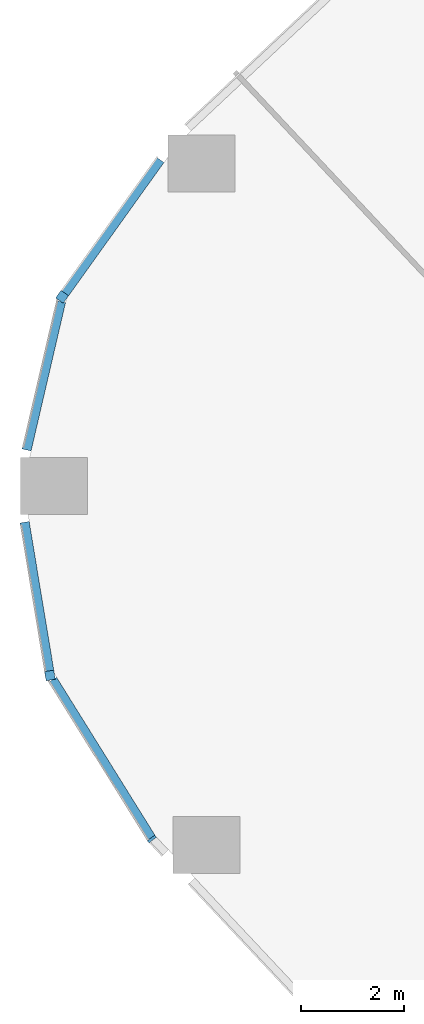
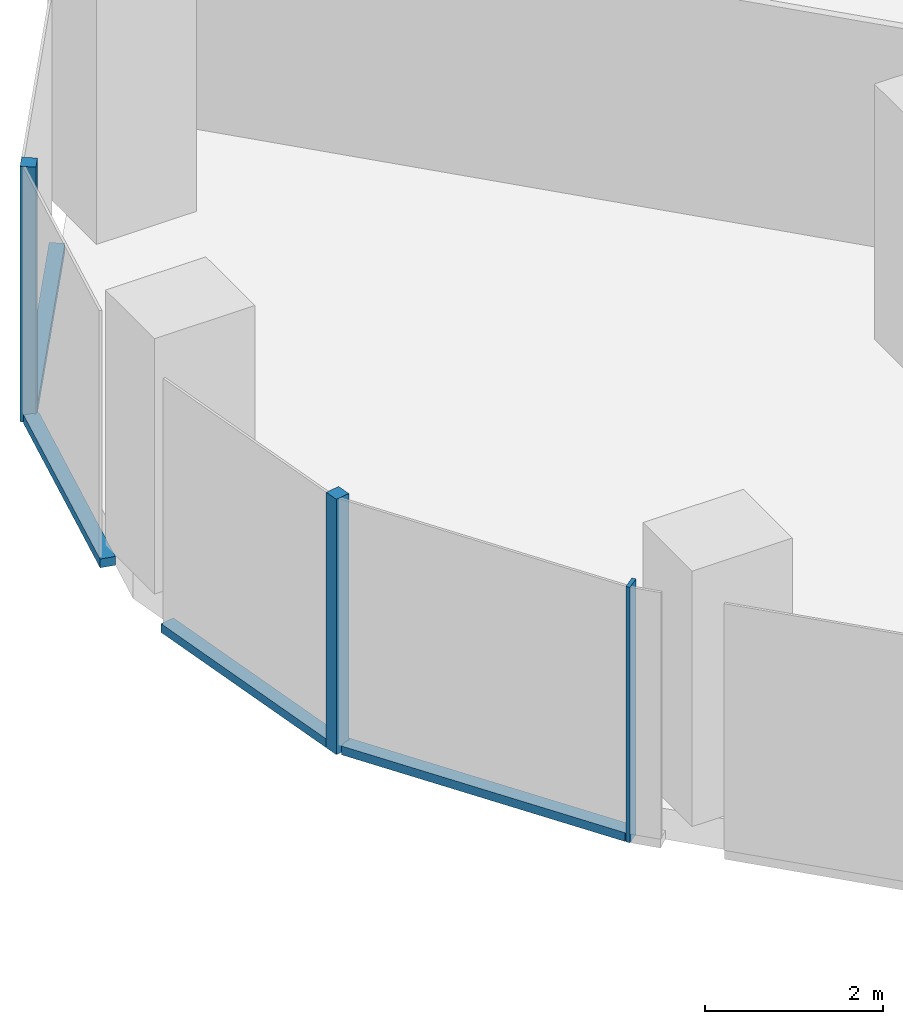
# One storey, part 3 of 34: 7 members, 4 elements without a shape of their own.
"""IFC4 building model written with IfcOpenShell, lengths in metres."""

import ifcopenshell
import ifcopenshell.guid

model = None  # the IFC model being written
_history = None  # IfcOwnerHistory: only IFC2X3 demands one
_inside = {}  # id of a spatial element -> (the spatial element, [elements in it])
_under = {}  # id of a project, library or spatial element -> (it, [spatial elements below it])
_declared = {}  # id of a project -> (the project, [libraries it declares])
_typed = {}  # id of a type object -> (the type object, [elements of that type])
_made_of = {}  # id of a material, layer set ... -> (it, [elements and type objects made of it])


def new_model(schema):
    """Start an empty IFC model of exactly this schema.

    Asked for "IFC4X3", IfcOpenShell would pick the latest addendum, in which some entities
    have other attributes; the version numbers below select the first issue.
    IFC2X3 requires an IfcOwnerHistory on every rooted entity: one is made here for all.
    """
    global model, _history
    if schema == "IFC4X3":
        model = ifcopenshell.file(schema_version=(4, 3, 0, 0))
    else:
        model = ifcopenshell.file(schema=schema)
    _inside.clear()
    _under.clear()
    _declared.clear()
    _typed.clear()
    _made_of.clear()
    _history = None
    if model.schema == "IFC2X3":
        org = make("IfcOrganization", Name="unknown")
        user = make(
            "IfcPersonAndOrganization",
            ThePerson=make("IfcPerson", FamilyName="unknown"),
            TheOrganization=org,
        )
        app = make(
            "IfcApplication",
            ApplicationDeveloper=org,
            Version="unknown",
            ApplicationFullName="unknown",
            ApplicationIdentifier="unknown",
        )
        _history = make(
            "IfcOwnerHistory",
            OwningUser=user,
            OwningApplication=app,
            ChangeAction="ADDED",
            CreationDate=0,
        )
    return model


def make(cls, **values):
    """One entity of the class cls with the attributes given. An attribute that is None is left unset."""
    return model.create_entity(
        cls, **{name: value for name, value in values.items() if value is not None}
    )


def rooted(cls, **values):
    """An entity with a GlobalId (a new one), such as an element, a storey or a relation."""
    return make(cls, GlobalId=ifcopenshell.guid.new(), OwnerHistory=_history, **values)


def si_unit(unit_type, name, prefix=None):
    """IfcSIUnit, for example si_unit("LENGTHUNIT", "METRE", prefix="MILLI")."""
    return make("IfcSIUnit", UnitType=unit_type, Prefix=prefix, Name=name)


def assignment(units):
    """IfcUnitAssignment: the units of a project."""
    return None if units is None else make("IfcUnitAssignment", Units=units)


def point(xyz):
    """IfcCartesianPoint."""
    return None if xyz is None else make("IfcCartesianPoint", Coordinates=xyz)


def direction(xyz):
    """IfcDirection."""
    return None if xyz is None else make("IfcDirection", DirectionRatios=xyz)


def frame(location, z_axis=None, x_axis=None):
    """IfcAxis2Placement3D, a coordinate frame: its origin and axes. An axis left out is left unset."""
    return make(
        "IfcAxis2Placement3D",
        Location=point(location),
        Axis=direction(z_axis),
        RefDirection=direction(x_axis),
    )


def frame_2d(location, x_axis=None):
    """IfcAxis2Placement2D, a coordinate frame in the plane: its origin and x axis."""
    return make(
        "IfcAxis2Placement2D", Location=point(location), RefDirection=direction(x_axis)
    )


def origin():
    """The frame at (0, 0, 0) with its axes left unset."""
    return frame((0.0, 0.0, 0.0))


def origin_2d():
    """The frame at (0, 0) in the plane with its x axis left unset."""
    return frame_2d((0.0, 0.0))


def place(relative_to, where):
    """IfcLocalPlacement: puts the frame where relative to a parent placement (None: the world)."""
    return make(
        "IfcLocalPlacement", PlacementRelTo=relative_to, RelativePlacement=where
    )


def context(
    kind, dimensions, precision=None, world=None, true_north=None, identifier=None
):
    """IfcGeometricRepresentationContext, for example the 3D "Model" context."""
    return make(
        "IfcGeometricRepresentationContext",
        ContextIdentifier=identifier,
        ContextType=kind,
        CoordinateSpaceDimension=dimensions,
        Precision=precision,
        WorldCoordinateSystem=world,
        TrueNorth=true_north,
    )


def subcontext(parent, identifier, kind, view, scale=None):
    """IfcGeometricRepresentationSubContext, for example "Body" below "Model"."""
    return make(
        "IfcGeometricRepresentationSubContext",
        ContextIdentifier=identifier,
        ContextType=kind,
        ParentContext=parent,
        TargetScale=scale,
        TargetView=view,
    )


def project(units=None, contexts=None):
    """IfcProject with its units and contexts."""
    return rooted(
        "IfcProject",
        Name="project",
        RepresentationContexts=contexts,
        UnitsInContext=assignment(units),
    )


def spatial(cls, under=None, at=None, **own):
    """A site, building, storey or space (cls), placed at a placement, below another one or the project."""
    s = rooted(cls, ObjectPlacement=at, **own)
    if under is not None:
        _under.setdefault(under.id(), (under, []))[1].append(s)
    return s


def profile(cls, at=None, kind="AREA", **sizes):
    """A parametric profile (cls). Its sizes go by their IFC names, for example OverallWidth=200.0."""
    return make(cls, ProfileType=kind, Position=at, **sizes)


def rectangle(**sizes):
    """IfcRectangleProfileDef."""
    return profile("IfcRectangleProfileDef", **sizes)


def extrude(swept, where, along, depth):
    """IfcExtrudedAreaSolid: the profile swept, set in the frame where, extruded along a direction by depth."""
    return make(
        "IfcExtrudedAreaSolid",
        SweptArea=swept,
        Position=where,
        ExtrudedDirection=direction(along),
        Depth=depth,
    )


def shape(context_of_items, identifier, shape_type, items):
    """IfcShapeRepresentation: the items that make up one representation, for example the "Body"."""
    return make(
        "IfcShapeRepresentation",
        ContextOfItems=context_of_items,
        RepresentationIdentifier=identifier,
        RepresentationType=shape_type,
        Items=items,
    )


def material(Name=None, Category=None):
    """IfcMaterial."""
    return make("IfcMaterial", Name=Name, Category=Category)


def material_profile(
    of_material, cross_section, Name=None, Category=None, Priority=None
):
    """IfcMaterialProfile: a cross section and its material."""
    return make(
        "IfcMaterialProfile",
        Name=Name,
        Material=of_material,
        Profile=cross_section,
        Priority=Priority,
        Category=Category,
    )


def profile_set(profiles, Name=None, composite=None):
    """IfcMaterialProfileSet."""
    return make(
        "IfcMaterialProfileSet",
        Name=Name,
        MaterialProfiles=profiles,
        CompositeProfile=composite,
    )


def made_of(thing, what):
    """Note that an element or type object is made of a material, layer set ...; save() writes the relation."""
    if what is not None:
        _made_of.setdefault(what.id(), (what, []))[1].append(thing)
    return thing


def type_object(cls, material=None, **own):
    """A type object (cls), such as IfcWallType, which elements share."""
    return made_of(rooted(cls, **own), material)


def element(
    cls,
    number,
    at=None,
    inside=None,
    cuts=None,
    type_object=None,
    material=None,
    context=None,
    identifier="Body",
    shape_type=None,
    held_by="IfcProductDefinitionShape",
    body=None,
    shapes=None,
    **own,
):
    """One element of the class cls, such as IfcWall. Its Tag is "e" and its number.

    at: its placement. inside: the storey or other place that contains it. cuts: it is an
    opening in that element (IfcRelVoidsElement). A single representation is given by context,
    identifier, shape_type and body (its items); several are given by shapes. held_by: the class
    of the entity that holds the representations. save() writes the other relations.
    """
    e = rooted(cls, Tag="e%d" % number, ObjectPlacement=at, **own)
    if body is not None:
        shapes = [shape(context, identifier, shape_type, body)]
    if shapes is not None:
        e.Representation = make(held_by, Representations=shapes)
    if inside is not None:
        _inside.setdefault(inside.id(), (inside, []))[1].append(e)
    if cuts is not None:
        rooted(
            "IfcRelVoidsElement", RelatingBuildingElement=cuts, RelatedOpeningElement=e
        )
    if type_object is not None:
        _typed.setdefault(type_object.id(), (type_object, []))[1].append(e)
    return made_of(e, material)


def aggregate(whole, parts):
    """IfcRelAggregates: a whole, such as a stair, and the parts it consists of."""
    return rooted("IfcRelAggregates", RelatingObject=whole, RelatedObjects=parts)


def save(model, path):
    """Write the relations noted so far, then the file.

    IfcRelAggregates (storeys below a building ...), IfcRelContainedInSpatialStructure (elements
    in a storey), IfcRelDefinesByType, IfcRelAssociatesMaterial and IfcRelDeclares: one each for
    every whole, place, type object, material and project.
    """
    for whole, parts in _under.values():
        aggregate(whole, parts)
    for where, things in _inside.values():
        rooted(
            "IfcRelContainedInSpatialStructure",
            RelatedElements=things,
            RelatingStructure=where,
        )
    for kind, things in _typed.values():
        rooted("IfcRelDefinesByType", RelatedObjects=things, RelatingType=kind)
    for what, things in _made_of.values():
        rooted("IfcRelAssociatesMaterial", RelatedObjects=things, RelatingMaterial=what)
    for by, libraries in _declared.values():
        rooted("IfcRelDeclares", RelatingContext=by, RelatedDefinitions=libraries)
    model.write(path)


model = new_model("IFC4")

# Units and contexts
model_context = context("Model", 3, precision=1e-05, world=origin(), true_north=direction((0.0, 1.0)))
body_context = subcontext(model_context, "Body", "Model", "MODEL_VIEW")
ifc_project = project(units=[si_unit("LENGTHUNIT", "METRE"), si_unit("AREAUNIT", "SQUARE_METRE"), si_unit("VOLUMEUNIT", "CUBIC_METRE"), si_unit("PLANEANGLEUNIT", "RADIAN"), si_unit("MASSUNIT", "GRAM", prefix="KILO")], contexts=[model_context])

# Site, building, storey
site_placement = place(None, origin())
site = spatial("IfcSite", under=ifc_project, at=site_placement, CompositionType="ELEMENT")
building_placement = place(site_placement, origin())
building = spatial("IfcBuilding", under=site, at=building_placement, Name="Orlundy Tower", CompositionType="ELEMENT")
storey_placement = place(building_placement, frame((0.0, 0.0, 47.800048828125)))
storey = spatial("IfcBuildingStorey", under=building, at=storey_placement, Name="L10", CompositionType="ELEMENT", Elevation=47.800048828125)

# Curtain wall, member
ifc_material_1 = material(Name="Aluminium bronze anodised", Category="aluminium")
curtain_wall_type = type_object("IfcCurtainWallType", Name="CW1 wall", PredefinedType="NOTDEFINED", material=ifc_material_1)
curtain_wall_1_placement = place(storey_placement, origin())
curtain_wall_1 = element("IfcCurtainWall", 1, at=curtain_wall_1_placement, inside=storey, type_object=curtain_wall_type, Name="CW1 run 025", PredefinedType="NOTDEFINED")
ifc_material_2 = material(Name="Aluminium bronze anodised", Category="aluminium")
ifc_material_profile_1 = material_profile(ifc_material_2, rectangle(XDim=0.179931640625, YDim=0.179931640625, at=origin_2d()), Name="CW1 corner post 180x180")
ifc_profile_set_1 = profile_set([ifc_material_profile_1], Name="Aluminium bronze anodised")
member_type_1 = type_object("IfcMemberType", Name="CW1 corner post 180x180", PredefinedType="MULLION", material=ifc_profile_set_1)
member_1_placement = place(storey_placement, frame((-53.35595703125, -30.617431640625, -0.420166015625), z_axis=(0.0, 0.0, 1.0), x_axis=(-0.986546608379, -0.163480241914, 0.0)))
member_1 = element("IfcMember", 2, at=member_1_placement, type_object=member_type_1, Name="CW1 mullion 66", PredefinedType="MULLION", context=body_context, shape_type="SweptSolid", body=[
    extrude(rectangle(XDim=0.179931640625, YDim=0.179931640625, at=origin_2d()), origin(), (0.0, 0.0, 1.0), 3.5),
])

curtain_wall_2_placement = place(storey_placement, origin())
curtain_wall_2 = element("IfcCurtainWall", 3, at=curtain_wall_2_placement, inside=storey, type_object=curtain_wall_type, Name="CW1 run 027", PredefinedType="NOTDEFINED")
member_2_placement = place(storey_placement, frame((-53.12060546875, -23.279296875, -0.420166015625), z_axis=(0.0, 0.0, 1.0), x_axis=(-0.813204454711, 0.58197810512, 0.0)))
member_2 = element("IfcMember", 4, at=member_2_placement, type_object=member_type_1, Name="CW1 mullion 68", PredefinedType="MULLION", context=body_context, shape_type="SweptSolid", body=[
    extrude(rectangle(XDim=0.179931640625, YDim=0.179931640625, at=origin_2d()), origin(), (0.0, 0.0, 1.0), 3.5),
])

# Curtain wall, members
curtain_wall_3_placement = place(storey_placement, origin())
curtain_wall_3 = element("IfcCurtainWall", 5, at=curtain_wall_3_placement, inside=storey, type_object=curtain_wall_type, Name="CW1 run 024", PredefinedType="NOTDEFINED")
ifc_material_3 = material(Name="Aluminium bronze anodised", Category="aluminium")
ifc_material_profile_2 = material_profile(ifc_material_3, rectangle(XDim=0.179931640625, YDim=0.050048828125, at=origin_2d()), Name="CW1 mullion 50x180")
ifc_profile_set_2 = profile_set([ifc_material_profile_2], Name="Aluminium bronze anodised")
member_type_2 = type_object("IfcMemberType", Name="CW1 mullion 50x180", PredefinedType="MULLION", material=ifc_profile_set_2)
member_3_placement = place(storey_placement, frame((-51.381591796875, -33.7861328125, -0.420166015625), z_axis=(0.0, 0.0, 1.0), x_axis=(-0.792872838919, -0.609387119412, 0.0)))
member_3 = element("IfcMember", 6, at=member_3_placement, type_object=member_type_2, Name="CW1 mullion 65", PredefinedType="MULLION", context=body_context, shape_type="SweptSolid", body=[
    extrude(rectangle(XDim=0.179931640625, YDim=0.050048828125, at=origin_2d()), origin(), (0.0, 0.0, 1.0), 3.5),
])
ifc_material_4 = material(Name="Aluminium bronze anodised", Category="aluminium")
ifc_material_profile_3 = material_profile(ifc_material_4, rectangle(XDim=0.179931640625, YDim=0.1201171875, at=origin_2d()), Name="CW1 transom 180x120")
ifc_profile_set_3 = profile_set([ifc_material_profile_3], Name="Aluminium bronze anodised")
member_type_3 = type_object("IfcMemberType", Name="CW1 transom 180x120", PredefinedType="USERDEFINED", material=ifc_profile_set_3)
member_4_placement = place(storey_placement, frame((-51.39501953125, -33.764892578125, -0.360107421875), z_axis=(-0.528801130179, 0.848745759767, 0.0), x_axis=(-0.848745759767, -0.528801130179, 0.0)))
member_4 = element("IfcMember", 7, at=member_4_placement, type_object=member_type_3, Name="CW1 transom", ObjectType="TRANSOM", PredefinedType="USERDEFINED", context=body_context, shape_type="SweptSolid", body=[
    extrude(rectangle(XDim=0.179931640625, YDim=0.1201171875, at=origin_2d()), origin(), (0.0, 0.0, 1.0), 3.61083984375),
])
aggregate(curtain_wall_3, [member_3, member_4])

# Member
member_5_placement = place(storey_placement, frame((-53.37060546875, -30.528564453125, -0.360107421875), z_axis=(-0.163490786089, 0.98654486105, 0.0), x_axis=(-0.98654486105, -0.163490786089, 0.0)))
member_5 = element("IfcMember", 8, at=member_5_placement, type_object=member_type_3, Name="CW1 transom", ObjectType="TRANSOM", PredefinedType="USERDEFINED", context=body_context, shape_type="SweptSolid", body=[
    extrude(rectangle(XDim=0.179931640625, YDim=0.1201171875, at=origin_2d()), origin(), (0.0, 0.0, 1.0), 2.9208984375),
])

aggregate(curtain_wall_1, [member_1, member_5])

# Curtain wall, member
curtain_wall_4_placement = place(storey_placement, origin())
curtain_wall_4 = element("IfcCurtainWall", 9, at=curtain_wall_4_placement, inside=storey, type_object=curtain_wall_type, Name="CW1 run 026", PredefinedType="NOTDEFINED")
member_6_placement = place(storey_placement, frame((-53.81005859375, -26.2470703125, -0.360107421875), z_axis=(0.226298002237, 0.97405811643, 0.0), x_axis=(-0.97405811643, 0.226298002237, 0.0)))
member_6 = element("IfcMember", 10, at=member_6_placement, type_object=member_type_3, Name="CW1 transom", ObjectType="TRANSOM", PredefinedType="USERDEFINED", context=body_context, shape_type="SweptSolid", body=[
    extrude(rectangle(XDim=0.179931640625, YDim=0.1201171875, at=origin_2d()), origin(), (0.0, 0.0, 1.0), 2.949462890625),
])
aggregate(curtain_wall_4, [member_6])

# Member
member_7_placement = place(storey_placement, frame((-53.068115234375, -23.2060546875, -0.360107421875), z_axis=(0.581943728073, 0.813229055898, 0.0), x_axis=(-0.813229055898, 0.581943728073, 0.0)))
member_7 = element("IfcMember", 11, at=member_7_placement, type_object=member_type_3, Name="CW1 transom", ObjectType="TRANSOM", PredefinedType="USERDEFINED", context=body_context, shape_type="SweptSolid", body=[
    extrude(rectangle(XDim=0.179931640625, YDim=0.1201171875, at=origin_2d()), origin(), (0.0, 0.0, 1.0), 3.174072265625),
])

aggregate(curtain_wall_2, [member_2, member_7])

save(model, "model.ifc")
